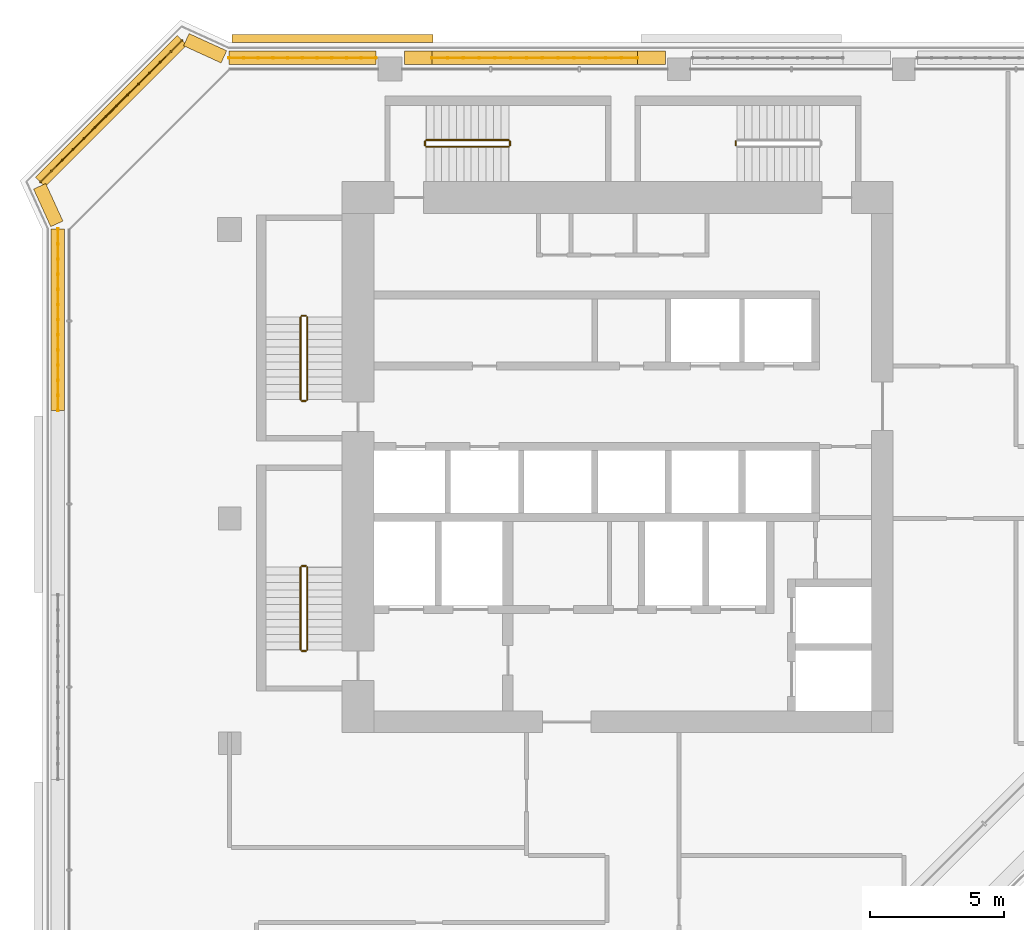
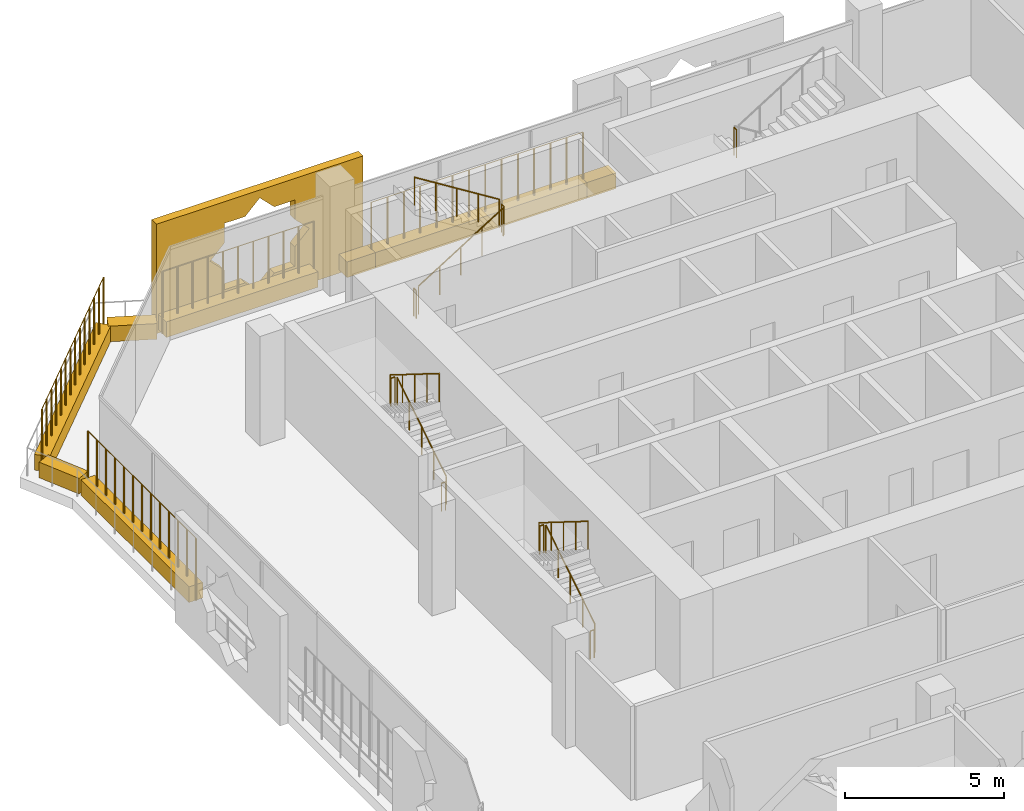
# One storey, part 21 of 23: 17 railings, 9 coverings.
"""IFC4 building model written with IfcOpenShell, lengths in metres."""

from ifc_helpers import new_model, si_unit, direction, frame, origin, origin_2d, place, context, subcontext, project, spatial, polyline, rectangle, circle, outline, extrude, material, material_profile, profile_set, type_object, element, save


model = new_model("IFC4")

# Units and contexts
model_context = context("Model", 3, precision=1e-05, world=origin(), true_north=direction((0.0, 1.0)))
body_context = subcontext(model_context, "Body", "Model", "MODEL_VIEW")
ifc_project = project(units=[si_unit("LENGTHUNIT", "METRE"), si_unit("AREAUNIT", "SQUARE_METRE"), si_unit("VOLUMEUNIT", "CUBIC_METRE"), si_unit("PLANEANGLEUNIT", "RADIAN"), si_unit("MASSUNIT", "GRAM", prefix="KILO")], contexts=[model_context])

# Site, building, storey
site_placement = place(None, origin())
site = spatial("IfcSite", under=ifc_project, at=site_placement, CompositionType="ELEMENT")
building_placement = place(site_placement, origin())
building = spatial("IfcBuilding", under=site, at=building_placement, Name="Kawkab Arch Medical Tower", CompositionType="ELEMENT")
storey_placement = place(building_placement, frame((0.0, 0.0, 222.199951171875)))
storey = spatial("IfcBuildingStorey", under=building, at=storey_placement, Name="L51", CompositionType="ELEMENT", Elevation=222.199951171875)

# Coverings
ifc_material_1 = material(Name="Bronze anodised aluminium mashrabiya panel, eight-point star pattern", Category="aluminium")
ifc_material_profile_1 = material_profile(ifc_material_1, outline(polyline([(-3.75, -2.10009765625), (3.75, -2.10009765625), (3.75, 2.10009765625), (-3.75, 2.10009765625), (-3.75, -2.10009765625)]), holes=[polyline([(1.800048828125, 0.0), (1.272705078125, 0.527099609375), (1.272705078125, 1.272705078125), (0.527099609375, 1.272705078125), (0.0, 1.800048828125), (-0.527099609375, 1.272705078125), (-1.272705078125, 1.272705078125), (-1.272705078125, 0.527099609375), (-1.800048828125, 0.0), (-1.272705078125, -0.527099609375), (-1.272705078125, -1.272705078125), (-0.527099609375, -1.272705078125), (0.0, -1.800048828125), (0.527099609375, -1.272705078125), (1.272705078125, -1.272705078125), (1.272705078125, -0.527099609375), (1.800048828125, 0.0)])]), Name="Mashrabiya panel 7500x4200")
ifc_profile_set_1 = profile_set([ifc_material_profile_1], Name="Bronze anodised aluminium mashrabiya panel, eight-point star pattern")
covering_type_1 = type_object("IfcCoveringType", Name="Mashrabiya panel 7500 x 4200", PredefinedType="USERDEFINED", material=ifc_profile_set_1)
covering_1_placement = place(storey_placement, frame((3.843017578125, 1.0, 1.699951171875), z_axis=(0.0, 1.0, 0.0), x_axis=(-1.0, 0.0, 0.0)))
element("IfcCovering", 1, at=covering_1_placement, inside=storey, type_object=covering_type_1, Name="Mashrabiya panel L51.LOG-01-02.5", ObjectType="SCREEN", PredefinedType="USERDEFINED", context=body_context, shape_type="SweptSolid", body=[
    extrude(outline(polyline([(-3.75, -2.10009765625), (3.75, -2.10009765625), (3.75, 2.10009765625), (-3.75, 2.10009765625), (-3.75, -2.10009765625)]), holes=[polyline([(1.800048828125, 0.0), (1.272705078125, 0.527099609375), (1.272705078125, 1.272705078125), (0.527099609375, 1.272705078125), (0.0, 1.800048828125), (-0.527099609375, 1.272705078125), (-1.272705078125, 1.272705078125), (-1.272705078125, 0.527099609375), (-1.800048828125, 0.0), (-1.272705078125, -0.527099609375), (-1.272705078125, -1.272705078125), (-0.527099609375, -1.272705078125), (0.0, -1.800048828125), (0.527099609375, -1.272705078125), (1.272705078125, -1.272705078125), (1.272705078125, -0.527099609375), (1.800048828125, 0.0)])]), origin(), (0.0, 0.0, 1.0), 0.300048828125),
])
ifc_material_2 = material(Name="Planting soil in a precast trough", Category="concrete")
ifc_material_profile_2 = material_profile(ifc_material_2, rectangle(XDim=0.5, YDim=0.60009765625, at=origin_2d()), Name="Trough 500x600")
ifc_profile_set_2 = profile_set([ifc_material_profile_2], Name="Planting soil in a precast trough")
covering_type_2 = type_object("IfcCoveringType", Name="Planter trough 500 x 600", PredefinedType="USERDEFINED", material=ifc_profile_set_2)
covering_2_placement = place(storey_placement, frame((-6.419921875, -12.763916015625, 0.300048828125), z_axis=(0.0, 1.0, 0.0), x_axis=(-1.0, 0.0, 0.0)))
element("IfcCovering", 2, at=covering_2_placement, inside=storey, type_object=covering_type_2, Name="Planter L51.LOG-01-02.11", ObjectType="PLANTER", PredefinedType="USERDEFINED", context=body_context, shape_type="SweptSolid", body=[
    extrude(rectangle(XDim=0.5, YDim=0.60009765625, at=origin_2d()), origin(), (0.0, 0.0, 1.0), 6.789794921875),
])
covering_3_placement = place(storey_placement, frame((-6.4609375, -5.782958984375, 0.300048828125), z_axis=(-0.415363486165, 0.909655525109, 0.0), x_axis=(-0.909655525109, -0.415363486165, 0.0)))
element("IfcCovering", 3, at=covering_3_placement, inside=storey, type_object=covering_type_2, Name="Planter L51.LOG-01-02.12", ObjectType="PLANTER", PredefinedType="USERDEFINED", context=body_context, shape_type="SweptSolid", body=[
    extrude(rectangle(XDim=0.5, YDim=0.60009765625, at=origin_2d()), origin(), (0.0, 0.0, 1.0), 1.54345703125),
])
covering_4_placement = place(storey_placement, frame((-7.072998046875, -4.217041015625, 0.300048828125), z_axis=(0.707106781187, 0.707106781187, 0.0), x_axis=(-0.707106781187, 0.707106781187, 0.0)))
element("IfcCovering", 4, at=covering_4_placement, inside=storey, type_object=covering_type_2, Name="Planter L51.LOG-01-02.13", ObjectType="PLANTER", PredefinedType="USERDEFINED", context=body_context, shape_type="SweptSolid", body=[
    extrude(rectangle(XDim=0.5, YDim=0.60009765625, at=origin_2d()), origin(), (0.0, 0.0, 1.0), 7.481201171875),
])
covering_5_placement = place(storey_placement, frame((-1.62109375, 1.10205078125, 0.300048828125), z_axis=(0.909655525109, -0.415363486165, 0.0), x_axis=(0.415363486165, 0.909655525109, 0.0)))
element("IfcCovering", 5, at=covering_5_placement, inside=storey, type_object=covering_type_2, Name="Planter L51.LOG-01-02.14", ObjectType="PLANTER", PredefinedType="USERDEFINED", context=body_context, shape_type="SweptSolid", body=[
    extrude(rectangle(XDim=0.5, YDim=0.60009765625, at=origin_2d()), origin(), (0.0, 0.0, 1.0), 1.54345703125),
])
covering_6_placement = place(storey_placement, frame((-0.02587890625, 0.419921875, 0.300048828125), z_axis=(1.0, 0.0, 0.0), x_axis=(0.0, 1.0, 0.0)))
element("IfcCovering", 6, at=covering_6_placement, inside=storey, type_object=covering_type_2, Name="Planter L51.LOG-01-02.15", ObjectType="PLANTER", PredefinedType="USERDEFINED", context=body_context, shape_type="SweptSolid", body=[
    extrude(rectangle(XDim=0.5, YDim=0.60009765625, at=origin_2d()), origin(), (0.0, 0.0, 1.0), 5.495849609375),
])
covering_7_placement = place(storey_placement, frame((6.530029296875, 0.419921875, 0.300048828125), z_axis=(1.0, 0.0, 0.0), x_axis=(0.0, 1.0, 0.0)))
element("IfcCovering", 7, at=covering_7_placement, inside=storey, type_object=covering_type_2, Name="Planter L51.LOG-01-02.16", ObjectType="PLANTER", PredefinedType="USERDEFINED", context=body_context, shape_type="SweptSolid", body=[
    extrude(rectangle(XDim=0.5, YDim=0.60009765625, at=origin_2d()), origin(), (0.0, 0.0, 1.0), 1.02587890625),
])
covering_8_placement = place(storey_placement, frame((7.555908203125, 0.419921875, 0.300048828125), z_axis=(1.0, 0.0, 0.0), x_axis=(0.0, 1.0, 0.0)))
element("IfcCovering", 8, at=covering_8_placement, inside=storey, type_object=covering_type_2, Name="Planter L51.LOG-01-02.17", ObjectType="PLANTER", PredefinedType="USERDEFINED", context=body_context, shape_type="SweptSolid", body=[
    extrude(rectangle(XDim=0.5, YDim=0.60009765625, at=origin_2d()), origin(), (0.0, 0.0, 1.0), 7.68115234375),
])
covering_9_placement = place(storey_placement, frame((15.237060546875, 0.419921875, 0.300048828125), z_axis=(1.0, 0.0, 0.0), x_axis=(0.0, 1.0, 0.0)))
element("IfcCovering", 9, at=covering_9_placement, inside=storey, type_object=covering_type_2, Name="Planter L51.LOG-01-02.18", ObjectType="PLANTER", PredefinedType="USERDEFINED", context=body_context, shape_type="SweptSolid", body=[
    extrude(rectangle(XDim=0.5, YDim=0.60009765625, at=origin_2d()), origin(), (0.0, 0.0, 1.0), 1.057861328125),
])

# Railings
ifc_material_3 = material(Name="Bronze anodised aluminium trellis for climbing plants", Category="aluminium")
railing_type_1 = type_object("IfcRailingType", Name="Planting trellis 2400", PredefinedType="USERDEFINED", material=ifc_material_3)
railing_1_placement = place(storey_placement, frame((-6.419921875, -12.763916015625, 0.0)))
element("IfcRailing", 10, at=railing_1_placement, inside=storey, type_object=railing_type_1, Name="Planting trellis L51.LOG-01-02.11", ObjectType="TRELLIS", PredefinedType="USERDEFINED", context=body_context, shape_type="SweptSolid", body=[
    extrude(circle(Radius=0.01513671875, at=origin_2d()), frame((0.0, 0.0, 2.384765625), z_axis=(0.0, 1.0, 0.0), x_axis=(-1.0, 0.0, 0.0)), (0.0, 0.0, 1.0), 6.789794921875),
    extrude(circle(Radius=0.030029296875, at=origin_2d()), origin(), (0.0, 0.0, 1.0), 2.369873046875),
    extrude(circle(Radius=0.030029296875, at=origin_2d()), frame((0.0, 0.56591796875, 0.0)), (0.0, 0.0, 1.0), 2.369873046875),
    extrude(circle(Radius=0.030029296875, at=origin_2d()), frame((0.0, 1.131591796875, 0.0)), (0.0, 0.0, 1.0), 2.369873046875),
    extrude(circle(Radius=0.030029296875, at=origin_2d()), frame((0.0, 1.697509765625, 0.0)), (0.0, 0.0, 1.0), 2.369873046875),
    extrude(circle(Radius=0.030029296875, at=origin_2d()), frame((0.0, 2.26318359375, 0.0)), (0.0, 0.0, 1.0), 2.369873046875),
    extrude(circle(Radius=0.030029296875, at=origin_2d()), frame((0.0, 2.8291015625, 0.0)), (0.0, 0.0, 1.0), 2.369873046875),
    extrude(circle(Radius=0.030029296875, at=origin_2d()), frame((0.0, 3.39501953125, 0.0)), (0.0, 0.0, 1.0), 2.369873046875),
    extrude(circle(Radius=0.030029296875, at=origin_2d()), frame((0.0, 3.960693359375, 0.0)), (0.0, 0.0, 1.0), 2.369873046875),
    extrude(circle(Radius=0.030029296875, at=origin_2d()), frame((0.0, 4.526611328125, 0.0)), (0.0, 0.0, 1.0), 2.369873046875),
    extrude(circle(Radius=0.030029296875, at=origin_2d()), frame((0.0, 5.09228515625, 0.0)), (0.0, 0.0, 1.0), 2.369873046875),
    extrude(circle(Radius=0.030029296875, at=origin_2d()), frame((0.0, 5.658203125, 0.0)), (0.0, 0.0, 1.0), 2.369873046875),
    extrude(circle(Radius=0.030029296875, at=origin_2d()), frame((0.0, 6.223876953125, 0.0)), (0.0, 0.0, 1.0), 2.369873046875),
    extrude(circle(Radius=0.030029296875, at=origin_2d()), frame((0.0, 6.789794921875, 0.0)), (0.0, 0.0, 1.0), 2.369873046875),
])
railing_2_placement = place(storey_placement, frame((-7.072998046875, -4.217041015625, 0.0)))
element("IfcRailing", 11, at=railing_2_placement, inside=storey, type_object=railing_type_1, Name="Planting trellis L51.LOG-01-02.13", ObjectType="TRELLIS", PredefinedType="USERDEFINED", context=body_context, shape_type="SweptSolid", body=[
    extrude(circle(Radius=0.01513671875, at=origin_2d()), frame((0.0, 0.0, 2.384765625), z_axis=(0.707106781187, 0.707106781187, 0.0), x_axis=(-0.707106781187, 0.707106781187, 0.0)), (0.0, 0.0, 1.0), 7.481201171875),
    extrude(circle(Radius=0.030029296875, at=origin_2d()), origin(), (0.0, 0.0, 1.0), 2.369873046875),
    extrude(circle(Radius=0.030029296875, at=origin_2d()), frame((0.406982421875, 0.406982421875, 0.0)), (0.0, 0.0, 1.0), 2.369873046875),
    extrude(circle(Radius=0.030029296875, at=origin_2d()), frame((0.81396484375, 0.81396484375, 0.0)), (0.0, 0.0, 1.0), 2.369873046875),
    extrude(circle(Radius=0.030029296875, at=origin_2d()), frame((1.220703125, 1.220703125, 0.0)), (0.0, 0.0, 1.0), 2.369873046875),
    extrude(circle(Radius=0.030029296875, at=origin_2d()), frame((1.627685546875, 1.627685546875, 0.0)), (0.0, 0.0, 1.0), 2.369873046875),
    extrude(circle(Radius=0.030029296875, at=origin_2d()), frame((2.03466796875, 2.03466796875, 0.0)), (0.0, 0.0, 1.0), 2.369873046875),
    extrude(circle(Radius=0.030029296875, at=origin_2d()), frame((2.441650390625, 2.441650390625, 0.0)), (0.0, 0.0, 1.0), 2.369873046875),
    extrude(circle(Radius=0.030029296875, at=origin_2d()), frame((2.848388671875, 2.848388671875, 0.0)), (0.0, 0.0, 1.0), 2.369873046875),
    extrude(circle(Radius=0.030029296875, at=origin_2d()), frame((3.25537109375, 3.25537109375, 0.0)), (0.0, 0.0, 1.0), 2.369873046875),
    extrude(circle(Radius=0.030029296875, at=origin_2d()), frame((3.662353515625, 3.662353515625, 0.0)), (0.0, 0.0, 1.0), 2.369873046875),
    extrude(circle(Radius=0.030029296875, at=origin_2d()), frame((4.0693359375, 4.0693359375, 0.0)), (0.0, 0.0, 1.0), 2.369873046875),
    extrude(circle(Radius=0.030029296875, at=origin_2d()), frame((4.47607421875, 4.47607421875, 0.0)), (0.0, 0.0, 1.0), 2.369873046875),
    extrude(circle(Radius=0.030029296875, at=origin_2d()), frame((4.883056640625, 4.883056640625, 0.0)), (0.0, 0.0, 1.0), 2.369873046875),
    extrude(circle(Radius=0.030029296875, at=origin_2d()), frame((5.2900390625, 5.2900390625, 0.0)), (0.0, 0.0, 1.0), 2.369873046875),
])
railing_3_placement = place(storey_placement, frame((-0.02587890625, 0.419921875, 0.0)))
element("IfcRailing", 12, at=railing_3_placement, inside=storey, type_object=railing_type_1, Name="Planting trellis L51.LOG-01-02.15", ObjectType="TRELLIS", PredefinedType="USERDEFINED", context=body_context, shape_type="SweptSolid", body=[
    extrude(circle(Radius=0.01513671875, at=origin_2d()), frame((0.0, 0.0, 2.384765625), z_axis=(1.0, 0.0, 0.0), x_axis=(0.0, 1.0, 0.0)), (0.0, 0.0, 1.0), 5.495849609375),
    extrude(circle(Radius=0.030029296875, at=origin_2d()), origin(), (0.0, 0.0, 1.0), 2.369873046875),
    extrude(circle(Radius=0.030029296875, at=origin_2d()), frame((0.549560546875, 0.0, 0.0)), (0.0, 0.0, 1.0), 2.369873046875),
    extrude(circle(Radius=0.030029296875, at=origin_2d()), frame((1.09912109375, 0.0, 0.0)), (0.0, 0.0, 1.0), 2.369873046875),
    extrude(circle(Radius=0.030029296875, at=origin_2d()), frame((1.648681640625, 0.0, 0.0)), (0.0, 0.0, 1.0), 2.369873046875),
    extrude(circle(Radius=0.030029296875, at=origin_2d()), frame((2.1982421875, 0.0, 0.0)), (0.0, 0.0, 1.0), 2.369873046875),
    extrude(circle(Radius=0.030029296875, at=origin_2d()), frame((2.748046875, 0.0, 0.0)), (0.0, 0.0, 1.0), 2.369873046875),
    extrude(circle(Radius=0.030029296875, at=origin_2d()), frame((3.297607421875, 0.0, 0.0)), (0.0, 0.0, 1.0), 2.369873046875),
    extrude(circle(Radius=0.030029296875, at=origin_2d()), frame((3.84716796875, 0.0, 0.0)), (0.0, 0.0, 1.0), 2.369873046875),
    extrude(circle(Radius=0.030029296875, at=origin_2d()), frame((4.396728515625, 0.0, 0.0)), (0.0, 0.0, 1.0), 2.369873046875),
    extrude(circle(Radius=0.030029296875, at=origin_2d()), frame((4.9462890625, 0.0, 0.0)), (0.0, 0.0, 1.0), 2.369873046875),
    extrude(circle(Radius=0.030029296875, at=origin_2d()), frame((5.495849609375, 0.0, 0.0)), (0.0, 0.0, 1.0), 2.369873046875),
])
railing_4_placement = place(storey_placement, frame((7.555908203125, 0.419921875, 0.0)))
element("IfcRailing", 13, at=railing_4_placement, inside=storey, type_object=railing_type_1, Name="Planting trellis L51.LOG-01-02.17", ObjectType="TRELLIS", PredefinedType="USERDEFINED", context=body_context, shape_type="SweptSolid", body=[
    extrude(circle(Radius=0.01513671875, at=origin_2d()), frame((0.0, 0.0, 2.384765625), z_axis=(1.0, 0.0, 0.0), x_axis=(0.0, 1.0, 0.0)), (0.0, 0.0, 1.0), 7.68115234375),
    extrude(circle(Radius=0.030029296875, at=origin_2d()), origin(), (0.0, 0.0, 1.0), 2.369873046875),
    extrude(circle(Radius=0.030029296875, at=origin_2d()), frame((0.5908203125, 0.0, 0.0)), (0.0, 0.0, 1.0), 2.369873046875),
    extrude(circle(Radius=0.030029296875, at=origin_2d()), frame((1.181640625, 0.0, 0.0)), (0.0, 0.0, 1.0), 2.369873046875),
    extrude(circle(Radius=0.030029296875, at=origin_2d()), frame((1.7724609375, 0.0, 0.0)), (0.0, 0.0, 1.0), 2.369873046875),
    extrude(circle(Radius=0.030029296875, at=origin_2d()), frame((2.363525390625, 0.0, 0.0)), (0.0, 0.0, 1.0), 2.369873046875),
    extrude(circle(Radius=0.030029296875, at=origin_2d()), frame((2.954345703125, 0.0, 0.0)), (0.0, 0.0, 1.0), 2.369873046875),
    extrude(circle(Radius=0.030029296875, at=origin_2d()), frame((3.545166015625, 0.0, 0.0)), (0.0, 0.0, 1.0), 2.369873046875),
    extrude(circle(Radius=0.030029296875, at=origin_2d()), frame((4.135986328125, 0.0, 0.0)), (0.0, 0.0, 1.0), 2.369873046875),
    extrude(circle(Radius=0.030029296875, at=origin_2d()), frame((4.726806640625, 0.0, 0.0)), (0.0, 0.0, 1.0), 2.369873046875),
    extrude(circle(Radius=0.030029296875, at=origin_2d()), frame((5.317626953125, 0.0, 0.0)), (0.0, 0.0, 1.0), 2.369873046875),
    extrude(circle(Radius=0.030029296875, at=origin_2d()), frame((5.90869140625, 0.0, 0.0)), (0.0, 0.0, 1.0), 2.369873046875),
    extrude(circle(Radius=0.030029296875, at=origin_2d()), frame((6.49951171875, 0.0, 0.0)), (0.0, 0.0, 1.0), 2.369873046875),
    extrude(circle(Radius=0.030029296875, at=origin_2d()), frame((7.09033203125, 0.0, 0.0)), (0.0, 0.0, 1.0), 2.369873046875),
    extrude(circle(Radius=0.030029296875, at=origin_2d()), frame((7.68115234375, 0.0, 0.0)), (0.0, 0.0, 1.0), 2.369873046875),
])
ifc_material_4 = material(Name="Stainless steel", Category="steel")
railing_type_2 = type_object("IfcRailingType", Name="Stair guard 1100", PredefinedType="GUARDRAIL", material=ifc_material_4)
railing_5_placement = place(storey_placement, frame((2.89990234375, -12.35009765625, 0.175048828125)))
element("IfcRailing", 14, at=railing_5_placement, inside=storey, type_object=railing_type_2, Name="L51 ST1 stair guard 1", PredefinedType="GUARDRAIL", context=body_context, shape_type="SweptSolid", body=[
    extrude(circle(Radius=0.02392578125, at=origin_2d()), frame((0.0, 0.0, 1.076171875), z_axis=(0.0, 0.847998304005, 0.529998940003), x_axis=(-1.0, 0.0, 0.0)), (0.0, 0.0, 1.0), 3.632080078125),
    extrude(circle(Radius=0.02099609375, at=origin_2d()), origin(), (0.0, 0.0, 1.0), 1.052001953125),
    extrude(circle(Radius=0.02099609375, at=origin_2d()), frame((0.0, 0.77001953125, 0.481201171875)), (0.0, 0.0, 1.0), 1.052001953125),
    extrude(circle(Radius=0.02099609375, at=origin_2d()), frame((0.0, 1.5400390625, 0.96240234375)), (0.0, 0.0, 1.0), 1.052001953125),
    extrude(circle(Radius=0.02099609375, at=origin_2d()), frame((0.0, 2.31005859375, 1.44384765625)), (0.0, 0.0, 1.0), 1.052001953125),
    extrude(circle(Radius=0.02099609375, at=origin_2d()), frame((0.0, 3.080078125, 1.925048828125)), (0.0, 0.0, 1.0), 1.052001953125),
])
railing_6_placement = place(storey_placement, frame((2.85009765625, -9.219970703125, 2.10009765625)))
element("IfcRailing", 15, at=railing_6_placement, inside=storey, type_object=railing_type_2, Name="L51 ST1 stair guard 2", PredefinedType="GUARDRAIL", context=body_context, shape_type="SweptSolid", body=[
    extrude(circle(Radius=0.02392578125, at=origin_2d()), frame((0.0, 0.0, 1.076171875), z_axis=(-1.0, 0.0, 0.0), x_axis=(0.0, -1.0, 0.0)), (0.0, 0.0, 1.0), 0.150146484375),
    extrude(circle(Radius=0.02099609375, at=origin_2d()), origin(), (0.0, 0.0, 1.0), 1.052001953125),
    extrude(circle(Radius=0.02099609375, at=origin_2d()), frame((-0.150146484375, 0.0, 0.0)), (0.0, 0.0, 1.0), 1.052001953125),
])
railing_7_placement = place(storey_placement, frame((2.64990234375, -9.27001953125, 2.275146484375)))
element("IfcRailing", 16, at=railing_7_placement, inside=storey, type_object=railing_type_2, Name="L51 ST1 stair guard 3", PredefinedType="GUARDRAIL", context=body_context, shape_type="SweptSolid", body=[
    extrude(circle(Radius=0.02392578125, at=origin_2d()), frame((0.0, 0.0, 1.076171875), z_axis=(0.0, -0.848028513186, 0.529950602248), x_axis=(1.0, 0.0, 0.0)), (0.0, 0.0, 1.0), 3.632080078125),
    extrude(circle(Radius=0.02099609375, at=origin_2d()), origin(), (0.0, 0.0, 1.0), 1.052001953125),
    extrude(circle(Radius=0.02099609375, at=origin_2d()), frame((0.0, -0.77001953125, 0.481201171875)), (0.0, 0.0, 1.0), 1.052001953125),
    extrude(circle(Radius=0.02099609375, at=origin_2d()), frame((0.0, -1.5400390625, 0.96240234375)), (0.0, 0.0, 1.0), 1.052001953125),
    extrude(circle(Radius=0.02099609375, at=origin_2d()), frame((0.0, -2.31005859375, 1.443603515625)), (0.0, 0.0, 1.0), 1.052001953125),
    extrude(circle(Radius=0.02099609375, at=origin_2d()), frame((0.0, -3.080078125, 1.9248046875)), (0.0, 0.0, 1.0), 1.052001953125),
])
railing_8_placement = place(storey_placement, frame((2.85009765625, -12.39990234375, 0.0)))
element("IfcRailing", 17, at=railing_8_placement, inside=storey, type_object=railing_type_2, Name="L51 ST1 stair guard 4", PredefinedType="GUARDRAIL", context=body_context, shape_type="SweptSolid", body=[
    extrude(circle(Radius=0.02392578125, at=origin_2d()), frame((0.0, 0.0, 1.076171875), z_axis=(-1.0, 0.0, 0.0), x_axis=(0.0, -1.0, 0.0)), (0.0, 0.0, 1.0), 0.150146484375),
    extrude(circle(Radius=0.02099609375, at=origin_2d()), origin(), (0.0, 0.0, 1.0), 1.052001953125),
    extrude(circle(Radius=0.02099609375, at=origin_2d()), frame((-0.150146484375, 0.0, 0.0)), (0.0, 0.0, 1.0), 1.052001953125),
])
railing_9_placement = place(storey_placement, frame((2.89990234375, -21.699951171875, 0.175048828125)))
element("IfcRailing", 18, at=railing_9_placement, inside=storey, type_object=railing_type_2, Name="L51 ST2 stair guard 1", PredefinedType="GUARDRAIL", context=body_context, shape_type="SweptSolid", body=[
    extrude(circle(Radius=0.02392578125, at=origin_2d()), frame((0.0, 0.0, 1.076171875), z_axis=(0.0, 0.847979421464, 0.530029150871), x_axis=(-1.0, 0.0, 0.0)), (0.0, 0.0, 1.0), 3.632080078125),
    extrude(circle(Radius=0.02099609375, at=origin_2d()), origin(), (0.0, 0.0, 1.0), 1.052001953125),
    extrude(circle(Radius=0.02099609375, at=origin_2d()), frame((0.0, 0.77001953125, 0.481201171875)), (0.0, 0.0, 1.0), 1.052001953125),
    extrude(circle(Radius=0.02099609375, at=origin_2d()), frame((0.0, 1.5400390625, 0.96240234375)), (0.0, 0.0, 1.0), 1.052001953125),
    extrude(circle(Radius=0.02099609375, at=origin_2d()), frame((0.0, 2.309814453125, 1.44384765625)), (0.0, 0.0, 1.0), 1.052001953125),
    extrude(circle(Radius=0.02099609375, at=origin_2d()), frame((0.0, 3.079833984375, 1.925048828125)), (0.0, 0.0, 1.0), 1.052001953125),
])
railing_10_placement = place(storey_placement, frame((2.85009765625, -18.570068359375, 2.10009765625)))
element("IfcRailing", 19, at=railing_10_placement, inside=storey, type_object=railing_type_2, Name="L51 ST2 stair guard 2", PredefinedType="GUARDRAIL", context=body_context, shape_type="SweptSolid", body=[
    extrude(circle(Radius=0.02392578125, at=origin_2d()), frame((0.0, 0.0, 1.076171875), z_axis=(-1.0, 0.0, 0.0), x_axis=(0.0, -1.0, 0.0)), (0.0, 0.0, 1.0), 0.150146484375),
    extrude(circle(Radius=0.02099609375, at=origin_2d()), origin(), (0.0, 0.0, 1.0), 1.052001953125),
    extrude(circle(Radius=0.02099609375, at=origin_2d()), frame((-0.150146484375, 0.0, 0.0)), (0.0, 0.0, 1.0), 1.052001953125),
])
railing_11_placement = place(storey_placement, frame((2.64990234375, -18.6201171875, 2.275146484375)))
element("IfcRailing", 20, at=railing_11_placement, inside=storey, type_object=railing_type_2, Name="L51 ST2 stair guard 3", PredefinedType="GUARDRAIL", context=body_context, shape_type="SweptSolid", body=[
    extrude(circle(Radius=0.02392578125, at=origin_2d()), frame((0.0, 0.0, 1.076171875), z_axis=(0.0, -0.848009633417, 0.529980812513), x_axis=(1.0, 0.0, 0.0)), (0.0, 0.0, 1.0), 3.6318359375),
    extrude(circle(Radius=0.02099609375, at=origin_2d()), origin(), (0.0, 0.0, 1.0), 1.052001953125),
    extrude(circle(Radius=0.02099609375, at=origin_2d()), frame((0.0, -0.77001953125, 0.481201171875)), (0.0, 0.0, 1.0), 1.052001953125),
    extrude(circle(Radius=0.02099609375, at=origin_2d()), frame((0.0, -1.5400390625, 0.96240234375)), (0.0, 0.0, 1.0), 1.052001953125),
    extrude(circle(Radius=0.02099609375, at=origin_2d()), frame((0.0, -2.309814453125, 1.443603515625)), (0.0, 0.0, 1.0), 1.052001953125),
    extrude(circle(Radius=0.02099609375, at=origin_2d()), frame((0.0, -3.079833984375, 1.9248046875)), (0.0, 0.0, 1.0), 1.052001953125),
])
railing_12_placement = place(storey_placement, frame((2.85009765625, -21.75, 0.0)))
element("IfcRailing", 21, at=railing_12_placement, inside=storey, type_object=railing_type_2, Name="L51 ST2 stair guard 4", PredefinedType="GUARDRAIL", context=body_context, shape_type="SweptSolid", body=[
    extrude(circle(Radius=0.02392578125, at=origin_2d()), frame((0.0, 0.0, 1.076171875), z_axis=(-1.0, 0.0, 0.0), x_axis=(0.0, -1.0, 0.0)), (0.0, 0.0, 1.0), 0.150146484375),
    extrude(circle(Radius=0.02099609375, at=origin_2d()), origin(), (0.0, 0.0, 1.0), 1.052001953125),
    extrude(circle(Radius=0.02099609375, at=origin_2d()), frame((-0.150146484375, 0.0, 0.0)), (0.0, 0.0, 1.0), 1.052001953125),
])
railing_13_placement = place(storey_placement, frame((7.35009765625, -2.89990234375, 0.175048828125)))
element("IfcRailing", 22, at=railing_13_placement, inside=storey, type_object=railing_type_2, Name="L51 ST3 stair guard 1", PredefinedType="GUARDRAIL", context=body_context, shape_type="SweptSolid", body=[
    extrude(circle(Radius=0.02392578125, at=origin_2d()), frame((0.0, 0.0, 1.076171875), z_axis=(0.847979421464, 0.0, 0.530029150871), x_axis=(0.0, 1.0, 0.0)), (0.0, 0.0, 1.0), 3.632080078125),
    extrude(circle(Radius=0.02099609375, at=origin_2d()), origin(), (0.0, 0.0, 1.0), 1.052001953125),
    extrude(circle(Radius=0.02099609375, at=origin_2d()), frame((0.77001953125, 0.0, 0.481201171875)), (0.0, 0.0, 1.0), 1.052001953125),
    extrude(circle(Radius=0.02099609375, at=origin_2d()), frame((1.5400390625, 0.0, 0.96240234375)), (0.0, 0.0, 1.0), 1.052001953125),
    extrude(circle(Radius=0.02099609375, at=origin_2d()), frame((2.309814453125, 0.0, 1.44384765625)), (0.0, 0.0, 1.0), 1.052001953125),
    extrude(circle(Radius=0.02099609375, at=origin_2d()), frame((3.079833984375, 0.0, 1.925048828125)), (0.0, 0.0, 1.0), 1.052001953125),
])
railing_14_placement = place(storey_placement, frame((10.47998046875, -2.85009765625, 2.10009765625)))
element("IfcRailing", 23, at=railing_14_placement, inside=storey, type_object=railing_type_2, Name="L51 ST3 stair guard 2", PredefinedType="GUARDRAIL", context=body_context, shape_type="SweptSolid", body=[
    extrude(circle(Radius=0.02392578125, at=origin_2d()), frame((0.0, 0.0, 1.076171875), z_axis=(0.0, 1.0, 0.0), x_axis=(-1.0, 0.0, 0.0)), (0.0, 0.0, 1.0), 0.150146484375),
    extrude(circle(Radius=0.02099609375, at=origin_2d()), origin(), (0.0, 0.0, 1.0), 1.052001953125),
    extrude(circle(Radius=0.02099609375, at=origin_2d()), frame((0.0, 0.150146484375, 0.0)), (0.0, 0.0, 1.0), 1.052001953125),
])
railing_15_placement = place(storey_placement, frame((10.429931640625, -2.64990234375, 2.275146484375)))
element("IfcRailing", 24, at=railing_15_placement, inside=storey, type_object=railing_type_2, Name="L51 ST3 stair guard 3", PredefinedType="GUARDRAIL", context=body_context, shape_type="SweptSolid", body=[
    extrude(circle(Radius=0.02392578125, at=origin_2d()), frame((0.0, 0.0, 1.076171875), z_axis=(-0.848009633417, 0.0, 0.529980812513), x_axis=(0.0, -1.0, 0.0)), (0.0, 0.0, 1.0), 3.6318359375),
    extrude(circle(Radius=0.02099609375, at=origin_2d()), origin(), (0.0, 0.0, 1.0), 1.052001953125),
    extrude(circle(Radius=0.02099609375, at=origin_2d()), frame((-0.77001953125, 0.0, 0.481201171875)), (0.0, 0.0, 1.0), 1.052001953125),
    extrude(circle(Radius=0.02099609375, at=origin_2d()), frame((-1.5400390625, 0.0, 0.96240234375)), (0.0, 0.0, 1.0), 1.052001953125),
    extrude(circle(Radius=0.02099609375, at=origin_2d()), frame((-2.309814453125, 0.0, 1.443603515625)), (0.0, 0.0, 1.0), 1.052001953125),
    extrude(circle(Radius=0.02099609375, at=origin_2d()), frame((-3.079833984375, 0.0, 1.9248046875)), (0.0, 0.0, 1.0), 1.052001953125),
])
railing_16_placement = place(storey_placement, frame((7.300048828125, -2.85009765625, 0.0)))
element("IfcRailing", 25, at=railing_16_placement, inside=storey, type_object=railing_type_2, Name="L51 ST3 stair guard 4", PredefinedType="GUARDRAIL", context=body_context, shape_type="SweptSolid", body=[
    extrude(circle(Radius=0.02392578125, at=origin_2d()), frame((0.0, 0.0, 1.076171875), z_axis=(0.0, 1.0, 0.0), x_axis=(-1.0, 0.0, 0.0)), (0.0, 0.0, 1.0), 0.150146484375),
    extrude(circle(Radius=0.02099609375, at=origin_2d()), origin(), (0.0, 0.0, 1.0), 1.052001953125),
    extrude(circle(Radius=0.02099609375, at=origin_2d()), frame((0.0, 0.150146484375, 0.0)), (0.0, 0.0, 1.0), 1.052001953125),
])
railing_17_placement = place(storey_placement, frame((18.919921875, -2.699951171875, 2.10009765625)))
element("IfcRailing", 26, at=railing_17_placement, inside=storey, type_object=railing_type_2, Name="L51 ST4 stair guard 2", PredefinedType="GUARDRAIL", context=body_context, shape_type="SweptSolid", body=[
    extrude(circle(Radius=0.02392578125, at=origin_2d()), frame((0.0, 0.0, 1.076171875), z_axis=(0.0, -1.0, 0.0), x_axis=(1.0, 0.0, 0.0)), (0.0, 0.0, 1.0), 0.150146484375),
    extrude(circle(Radius=0.02099609375, at=origin_2d()), origin(), (0.0, 0.0, 1.0), 1.052001953125),
    extrude(circle(Radius=0.02099609375, at=origin_2d()), frame((0.0, -0.150146484375, 0.0)), (0.0, 0.0, 1.0), 1.052001953125),
])

save(model, "model.ifc")
